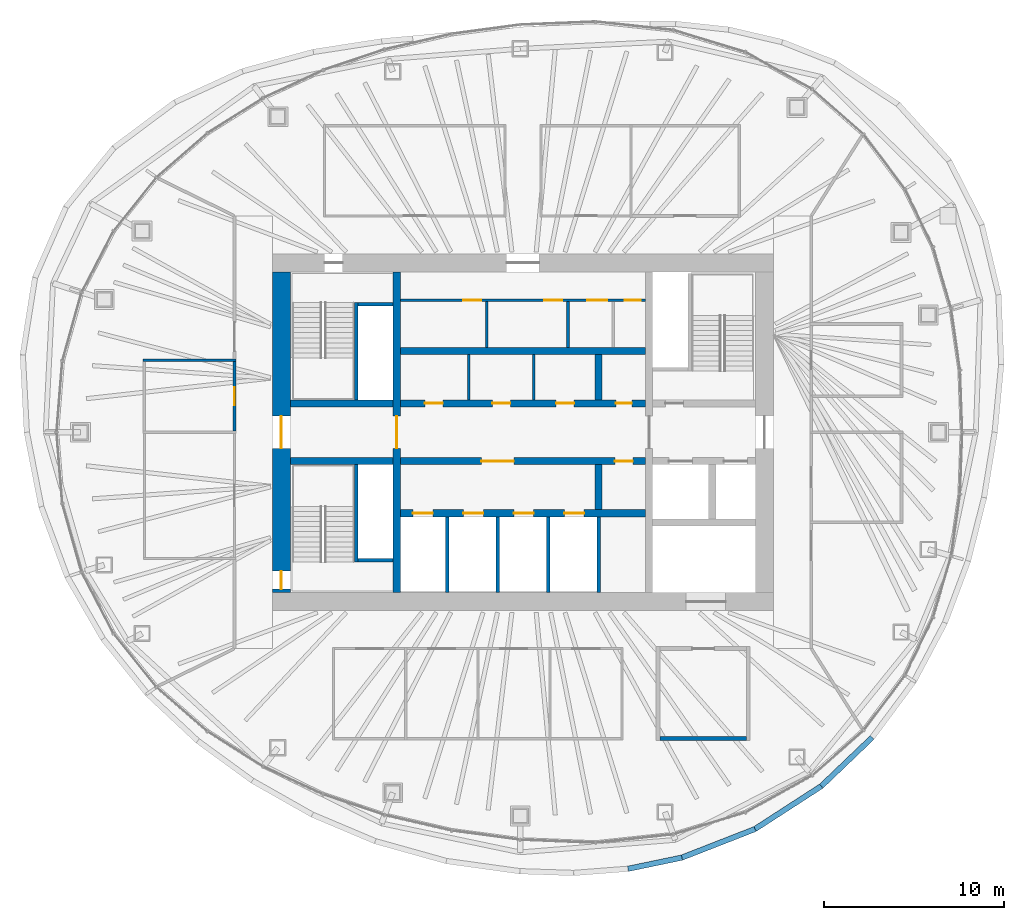
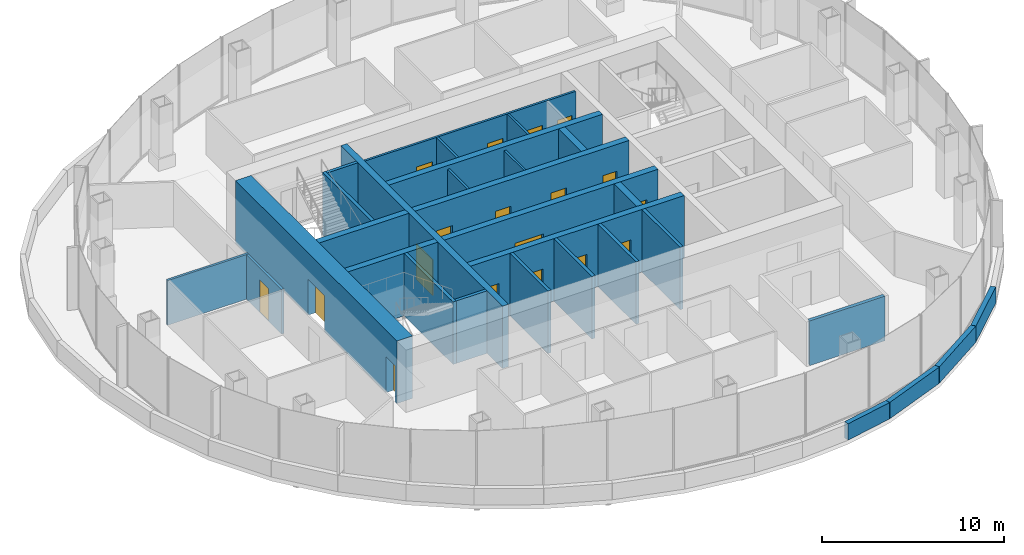
# One storey, part 10 of 13: 30 walls, 18 doors, 18 openings.
"""IFC4 building model written with IfcOpenShell, lengths in metres."""

from ifc_helpers import new_model, si_unit, direction, frame, frame_2d, origin, place, context, subcontext, project, spatial, rectangle, extrude, material, layer, layer_set, type_object, element, fill, save


model = new_model("IFC4")

# Units and contexts
model_context = context("Model", 3, precision=1e-05, world=origin(), true_north=direction((0.0, 1.0)))
body_context = subcontext(model_context, "Body", "Model", "MODEL_VIEW")
ifc_project = project(units=[si_unit("LENGTHUNIT", "METRE"), si_unit("AREAUNIT", "SQUARE_METRE"), si_unit("VOLUMEUNIT", "CUBIC_METRE"), si_unit("PLANEANGLEUNIT", "RADIAN"), si_unit("MASSUNIT", "GRAM", prefix="KILO")], contexts=[model_context])

# Site, building, storey
site_placement = place(None, origin())
site = spatial("IfcSite", under=ifc_project, at=site_placement, CompositionType="ELEMENT")
building_placement = place(site_placement, origin())
building = spatial("IfcBuilding", under=site, at=building_placement, Name="Ghaith Harvest Tower", CompositionType="ELEMENT")
storey_placement = place(building_placement, frame((0.0, 0.0, 271.199951171875)))
storey = spatial("IfcBuildingStorey", under=building, at=storey_placement, Name="L60", CompositionType="ELEMENT", Elevation=271.199951171875)

# Wall
ifc_material_1 = material(Name="Concrete blockwork, 1-hour", Category="masonry")
ifc_layer_1 = layer(ifc_material_1, 0.215087890625)
ifc_layer_set_1 = layer_set([ifc_layer_1], Name="BLOCKWORK WALL 215")
wall_type_1 = type_object("IfcWallType", Name="BLOCKWORK WALL 215", PredefinedType="PARTITIONING", material=ifc_layer_set_1)
wall_1_placement = place(storey_placement, frame((7.607421875, -17.0, 0.0), z_axis=(0.0, 0.0, 1.0), x_axis=(1.0, 0.0, 0.0)))
element("IfcWall", 1, at=wall_1_placement, inside=storey, type_object=wall_type_1, Name="Partition L60-08", PredefinedType="PARTITIONING", context=body_context, shape_type="SweptSolid", body=[
    extrude(rectangle(XDim=4.78515625, YDim=0.215087890625, at=frame_2d((2.392578125, 0.0))), origin(), (0.0, 0.0, 1.0), 3.0),
])

# Wall, openings, doors
ifc_material_2 = material(Name="Concrete blockwork, fair-faced", Category="masonry")
ifc_layer_2 = layer(ifc_material_2, 0.139892578125)
ifc_layer_set_2 = layer_set([ifc_layer_2], Name="CORE PARTITION 140")
wall_type_2 = type_object("IfcWallType", Name="CORE PARTITION 140", PredefinedType="PARTITIONING", material=ifc_layer_set_2)
wall_2_placement = place(storey_placement, frame((-6.800048828125, 7.330078125, 0.0), z_axis=(0.0, 0.0, 1.0), x_axis=(1.0, 0.0, 0.0)))
wall_2 = element("IfcWall", 2, at=wall_2_placement, inside=storey, type_object=wall_type_2, Name="Core partition L60", PredefinedType="PARTITIONING", context=body_context, shape_type="SweptSolid", body=[
    extrude(rectangle(XDim=13.60009765625, YDim=0.139892578125, at=frame_2d((6.800048828125, 0.0))), origin(), (0.0, 0.0, 1.0), 3.949951171875),
])
opening_1_placement = place(wall_2_placement, frame((3.47998046875, 0.0, 0.0)))
opening_1 = element("IfcOpeningElement", 3, at=opening_1_placement, cuts=wall_2, Name="Opening 60-008", PredefinedType="OPENING", context=body_context, shape_type="SweptSolid", body=[
    extrude(rectangle(XDim=1.0, YDim=2.39990234375, at=frame_2d((0.5, 1.199951171875))), frame((0.0, 0.080078125, 0.0), z_axis=(0.0, -1.0, 0.0), x_axis=(1.0, 0.0, 0.0)), (0.0, 0.0, 1.0), 0.159912109375),
])
opening_2_placement = place(wall_2_placement, frame((7.97998046875, 0.0, 0.0)))
opening_2 = element("IfcOpeningElement", 4, at=opening_2_placement, cuts=wall_2, Name="Opening 60-009", PredefinedType="OPENING", context=body_context, shape_type="SweptSolid", body=[
    extrude(rectangle(XDim=1.0, YDim=2.39990234375, at=frame_2d((0.5, 1.199951171875))), frame((0.0, 0.080078125, 0.0), z_axis=(0.0, -1.0, 0.0), x_axis=(1.0, 0.0, 0.0)), (0.0, 0.0, 1.0), 0.159912109375),
])
opening_3_placement = place(wall_2_placement, frame((10.3798828125, 0.0, 0.0)))
opening_3 = element("IfcOpeningElement", 5, at=opening_3_placement, cuts=wall_2, Name="Opening 60-010", PredefinedType="OPENING", context=body_context, shape_type="SweptSolid", body=[
    extrude(rectangle(XDim=1.10009765625, YDim=2.39990234375, at=frame_2d((0.550048828125, 1.199951171875))), frame((0.0, 0.080078125, 0.0), z_axis=(0.0, -1.0, 0.0), x_axis=(1.0, 0.0, 0.0)), (0.0, 0.0, 1.0), 0.159912109375),
])
opening_4_placement = place(wall_2_placement, frame((12.449951171875, 0.0, 0.0)))
opening_4 = element("IfcOpeningElement", 6, at=opening_4_placement, cuts=wall_2, Name="Opening 60-011", PredefinedType="OPENING", context=body_context, shape_type="SweptSolid", body=[
    extrude(rectangle(XDim=0.89990234375, YDim=2.39990234375, at=frame_2d((0.449951171875, 1.199951171875))), frame((0.0, 0.080078125, 0.0), z_axis=(0.0, -1.0, 0.0), x_axis=(1.0, 0.0, 0.0)), (0.0, 0.0, 1.0), 0.159912109375),
])
ifc_material_3 = material(Name="Steel fire door", Category="steel")
door_type_1 = type_object("IfcDoorType", Name="D3 FD90 1000x2400", OperationType="SINGLE_SWING_LEFT", PredefinedType="DOOR", material=ifc_material_3)
door_1_placement = place(opening_1_placement, origin())
door_1 = element("IfcDoor", 7, at=door_1_placement, inside=storey, type_object=door_type_1, Name="Male WC door", OperationType="SINGLE_SWING_LEFT", OverallHeight=2.39990234375, OverallWidth=1.0, PredefinedType="DOOR", context=body_context, shape_type="SweptSolid", body=[
    extrude(rectangle(XDim=1.0, YDim=2.39990234375, at=frame_2d((0.5, 1.199951171875))), frame((0.0, 0.02490234375, 0.0), z_axis=(0.0, -1.0, 0.0), x_axis=(1.0, 0.0, 0.0)), (0.0, 0.0, 1.0), 0.050048828125),
])
fill(opening_1, door_1)
door_2_placement = place(opening_2_placement, origin())
door_2 = element("IfcDoor", 8, at=door_2_placement, inside=storey, type_object=door_type_1, Name="Female WC door", OperationType="SINGLE_SWING_RIGHT", OverallHeight=2.39990234375, OverallWidth=1.0, PredefinedType="DOOR", context=body_context, shape_type="SweptSolid", body=[
    extrude(rectangle(XDim=1.0, YDim=2.39990234375, at=frame_2d((0.5, 1.199951171875))), frame((0.0, 0.02490234375, 0.0), z_axis=(0.0, -1.0, 0.0), x_axis=(1.0, 0.0, 0.0)), (0.0, 0.0, 1.0), 0.050048828125),
])
fill(opening_2, door_2)
ifc_material_4 = material(Name="Steel fire door", Category="steel")
door_type_2 = type_object("IfcDoorType", Name="D5 FD90 900x2400", OperationType="SINGLE_SWING_LEFT", PredefinedType="DOOR", material=ifc_material_4)
door_3_placement = place(opening_4_placement, origin())
door_3 = element("IfcDoor", 9, at=door_3_placement, inside=storey, type_object=door_type_2, Name="Cleaner's store door", OperationType="SINGLE_SWING_RIGHT", OverallHeight=2.39990234375, OverallWidth=0.89990234375, PredefinedType="DOOR", context=body_context, shape_type="SweptSolid", body=[
    extrude(rectangle(XDim=0.89990234375, YDim=2.39990234375, at=frame_2d((0.449951171875, 1.199951171875))), frame((0.0, 0.02490234375, 0.0), z_axis=(0.0, -1.0, 0.0), x_axis=(1.0, 0.0, 0.0)), (0.0, 0.0, 1.0), 0.050048828125),
])
fill(opening_4, door_3)
ifc_material_5 = material(Name="Steel fire door", Category="steel")
door_type_3 = type_object("IfcDoorType", Name="D9 FD90 1100x2400", OperationType="SINGLE_SWING_LEFT", PredefinedType="DOOR", material=ifc_material_5)
door_4_placement = place(opening_3_placement, origin())
door_4 = element("IfcDoor", 10, at=door_4_placement, inside=storey, type_object=door_type_3, Name="Accessible WC door", OperationType="SINGLE_SWING_RIGHT", OverallHeight=2.39990234375, OverallWidth=1.10009765625, PredefinedType="DOOR", context=body_context, shape_type="SweptSolid", body=[
    extrude(rectangle(XDim=1.10009765625, YDim=2.39990234375, at=frame_2d((0.550048828125, 1.199951171875))), frame((0.0, 0.02490234375, 0.0), z_axis=(0.0, -1.0, 0.0), x_axis=(1.0, 0.0, 0.0)), (0.0, 0.0, 1.0), 0.050048828125),
])
fill(opening_3, door_4)

# Walls
for number, where, z_axis, x_axis, name in (
    (11, (-2.0, 4.699951171875, 0.0), (0.0, 0.0, 1.0), (0.0, 1.0, 0.0), "Core partition L60"),
    (12, (2.5, 4.699951171875, 0.0), (0.0, 0.0, 1.0), (0.0, 1.0, 0.0), "Core partition L60"),
):
    element("IfcWall", number, at=place(storey_placement, frame(where, z_axis=z_axis, x_axis=x_axis)), inside=storey, type_object=wall_type_2, Name=name, PredefinedType="PARTITIONING", context=body_context, shape_type="SweptSolid", body=[
        extrude(rectangle(XDim=2.56005859375, YDim=0.139892578125, at=frame_2d((1.280029296875, 0.0))), origin(), (0.0, 0.0, 1.0), 3.949951171875),
    ])
for number, where, z_axis, x_axis, name in (
    (13, (-3.0, 1.800048828125, 0.0), (0.0, 0.0, 1.0), (0.0, 1.0, 0.0), "Core partition L60"),
    (14, (0.60009765625, 1.800048828125, 0.0), (0.0, 0.0, 1.0), (0.0, 1.0, 0.0), "Core partition L60"),
):
    element("IfcWall", number, at=place(storey_placement, frame(where, z_axis=z_axis, x_axis=x_axis)), inside=storey, type_object=wall_type_2, Name=name, PredefinedType="PARTITIONING", context=body_context, shape_type="SweptSolid", body=[
        extrude(rectangle(XDim=2.5, YDim=0.139892578125, at=frame_2d((1.25, 0.0))), origin(), (0.0, 0.0, 1.0), 3.949951171875),
    ])

# Wall, openings, doors
ifc_material_6 = material(Name="Concrete C50/60", Category="concrete")
ifc_layer_3 = layer(ifc_material_6, 1.0)
ifc_layer_set_3 = layer_set([ifc_layer_3], Name="CORE WALL CW1000")
wall_type_3 = type_object("IfcWallType", Name="CORE WALL CW1000", PredefinedType="SHEAR", material=ifc_layer_set_3)
wall_3_placement = place(storey_placement, frame((-13.39990234375, 8.89990234375, 0.0), z_axis=(0.0, 0.0, 1.0), x_axis=(0.0, -1.0, 0.0)))
wall_3 = element("IfcWall", 15, at=wall_3_placement, inside=storey, type_object=wall_type_3, Name="Core wall W L60", PredefinedType="SHEAR", context=body_context, shape_type="SweptSolid", body=[
    extrude(rectangle(XDim=17.7998046875, YDim=1.0, at=frame_2d((8.89990234375, 0.0))), origin(), (0.0, 0.0, 1.0), 4.199951171875),
])
opening_5_placement = place(wall_3_placement, frame((8.0, 0.0, 0.0)))
opening_5 = element("IfcOpeningElement", 16, at=opening_5_placement, cuts=wall_3, Name="Opening 60-001", PredefinedType="OPENING", context=body_context, shape_type="SweptSolid", body=[
    extrude(rectangle(XDim=1.800048828125, YDim=2.39990234375, at=frame_2d((0.89990234375, 1.199951171875))), frame((0.0, 0.510009765625, 0.0), z_axis=(0.0, -1.0, 0.0), x_axis=(1.0, 0.0, 0.0)), (0.0, 0.0, 1.0), 1.02001953125),
])
opening_6_placement = place(wall_3_placement, frame((16.60009765625, 0.0, 0.0)))
opening_6 = element("IfcOpeningElement", 17, at=opening_6_placement, cuts=wall_3, Name="Opening 60-006", PredefinedType="OPENING", context=body_context, shape_type="SweptSolid", body=[
    extrude(rectangle(XDim=1.0, YDim=2.39990234375, at=frame_2d((0.5, 1.199951171875))), frame((0.0, 0.510009765625, 0.0), z_axis=(0.0, -1.0, 0.0), x_axis=(1.0, 0.0, 0.0)), (0.0, 0.0, 1.0), 1.02001953125),
])
door_5_placement = place(opening_6_placement, origin())
door_5 = element("IfcDoor", 18, at=door_5_placement, inside=storey, type_object=door_type_1, Name="Stair ST3 door", OperationType="SINGLE_SWING_RIGHT", OverallHeight=2.39990234375, OverallWidth=1.0, PredefinedType="DOOR", context=body_context, shape_type="SweptSolid", body=[
    extrude(rectangle(XDim=1.0, YDim=2.39990234375, at=frame_2d((0.5, 1.199951171875))), frame((0.0, 0.02490234375, 0.0), z_axis=(0.0, -1.0, 0.0), x_axis=(1.0, 0.0, 0.0)), (0.0, 0.0, 1.0), 0.050048828125),
])
fill(opening_6, door_5)
ifc_material_7 = material(Name="Steel fire door", Category="steel")
door_type_4 = type_object("IfcDoorType", Name="D4 FD90 PAIR 1800x2400", OperationType="DOUBLE_DOOR_SINGLE_SWING", PredefinedType="DOOR", material=ifc_material_7)
door_6_placement = place(opening_5_placement, origin())
door_6 = element("IfcDoor", 19, at=door_6_placement, inside=storey, type_object=door_type_4, Name="West lobby doors", OperationType="DOUBLE_DOOR_SINGLE_SWING", OverallHeight=2.39990234375, OverallWidth=1.800048828125, PredefinedType="DOOR", context=body_context, shape_type="SweptSolid", body=[
    extrude(rectangle(XDim=1.800048828125, YDim=2.39990234375, at=frame_2d((0.89990234375, 1.199951171875))), frame((0.0, 0.02490234375, 0.0), z_axis=(0.0, -1.0, 0.0), x_axis=(1.0, 0.0, 0.0)), (0.0, 0.0, 1.0), 0.050048828125),
])
fill(opening_5, door_6)

# Walls
ifc_material_8 = material(Name="Concrete blockwork, 2-hour", Category="masonry")
ifc_layer_4 = layer(ifc_material_8, 0.199951171875)
ifc_layer_set_4 = layer_set([ifc_layer_4], Name="LIFT SHAFT WALL 200")
wall_type_4 = type_object("IfcWallType", Name="LIFT SHAFT WALL 200", PredefinedType="PARTITIONING", material=ifc_layer_set_4)
for number, where, z_axis, x_axis, name in (
    (20, (-4.199951171875, -4.699951171875, 0.0), (0.0, 0.0, 1.0), (0.0, -1.0, 0.0), "Lift shaft wall L60"),
    (21, (-1.39990234375, -4.699951171875, 0.0), (0.0, 0.0, 1.0), (0.0, -1.0, 0.0), "Lift shaft wall L60"),
    (22, (1.39990234375, -4.699951171875, 0.0), (0.0, 0.0, 1.0), (0.0, -1.0, 0.0), "Lift shaft wall L60"),
    (23, (4.199951171875, -4.699951171875, 0.0), (0.0, 0.0, 1.0), (0.0, -1.0, 0.0), "Lift shaft wall L60"),
):
    element("IfcWall", number, at=place(storey_placement, frame(where, z_axis=z_axis, x_axis=x_axis)), inside=storey, type_object=wall_type_4, Name=name, PredefinedType="PARTITIONING", context=body_context, shape_type="SweptSolid", body=[
        extrude(rectangle(XDim=4.199951171875, YDim=0.199951171875, at=frame_2d((2.10009765625, 0.0))), origin(), (0.0, 0.0, 1.0), 4.199951171875),
    ])
ifc_material_9 = material(Name="Concrete C40/50", Category="concrete")
ifc_layer_5 = layer(ifc_material_9, 0.300048828125)
ifc_layer_set_5 = layer_set([ifc_layer_5], Name="PARAPET 300")
wall_type_5 = type_object("IfcWallType", Name="PARAPET 300", PredefinedType="PARAPET", material=ifc_layer_set_5)
wall_4_placement = place(storey_placement, frame((5.830078125, -24.220458984375, 0.0), z_axis=(0.0, 0.0, 1.0), x_axis=(0.97897576659, 0.203976587946, 0.0)))
element("IfcWall", 24, at=wall_4_placement, inside=storey, type_object=wall_type_5, Name="Parapet 16.3 L60", PredefinedType="PARAPET", context=body_context, shape_type="SweptSolid", body=[
    extrude(rectangle(XDim=3.0556640625, YDim=0.300048828125, at=frame_2d((1.52783203125, 0.0))), origin(), (0.0, 0.0, 1.0), 1.10009765625),
])
wall_5_placement = place(storey_placement, frame((8.821533203125, -23.59716796875, 0.0), z_axis=(0.0, 0.0, 1.0), x_axis=(0.931449622767, 0.363870306906, 0.0)))
element("IfcWall", 25, at=wall_5_placement, inside=storey, type_object=wall_type_5, Name="Parapet 17.1 L60", PredefinedType="PARAPET", context=body_context, shape_type="SweptSolid", body=[
    extrude(rectangle(XDim=4.3505859375, YDim=0.300048828125, at=frame_2d((2.17529296875, 0.0))), origin(), (0.0, 0.0, 1.0), 1.10009765625),
])
wall_6_placement = place(storey_placement, frame((12.873779296875, -22.01416015625, 0.0), z_axis=(0.0, 0.0, 1.0), x_axis=(0.839528327494, 0.543315918536, 0.0)))
element("IfcWall", 26, at=wall_6_placement, inside=storey, type_object=wall_type_5, Name="Parapet 17.2 L60", PredefinedType="PARAPET", context=body_context, shape_type="SweptSolid", body=[
    extrude(rectangle(XDim=4.384765625, YDim=0.300048828125, at=frame_2d((2.1923828125, 0.0))), origin(), (0.0, 0.0, 1.0), 1.10009765625),
])
wall_7_placement = place(storey_placement, frame((16.554931640625, -19.6318359375, 0.0), z_axis=(0.0, 0.0, 1.0), x_axis=(0.722625530555, 0.691239714274, 0.0)))
element("IfcWall", 27, at=wall_7_placement, inside=storey, type_object=wall_type_5, Name="Parapet 18.1 L60", PredefinedType="PARAPET", context=body_context, shape_type="SweptSolid", body=[
    extrude(rectangle(XDim=3.897216796875, YDim=0.300048828125, at=frame_2d((1.94873046875, 0.0))), origin(), (0.0, 0.0, 1.0), 1.10009765625),
])
ifc_material_10 = material(Name="Gypsum board on steel studs", Category="steel")
ifc_layer_6 = layer(ifc_material_10, 0.14990234375)
ifc_layer_set_6 = layer_set([ifc_layer_6], Name="PARTITION 150")
wall_type_6 = type_object("IfcWallType", Name="PARTITION 150", PredefinedType="PARTITIONING", material=ifc_layer_set_6)
wall_8_placement = place(storey_placement, frame((-15.925048828125, 4.0, 0.0), z_axis=(0.0, 0.0, 1.0), x_axis=(-1.0, 0.0, 0.0)))
element("IfcWall", 28, at=wall_8_placement, inside=storey, type_object=wall_type_6, Name="Partition L60 row W5 cross wall 3", PredefinedType="PARTITIONING", context=body_context, shape_type="SweptSolid", body=[
    extrude(rectangle(XDim=5.14990234375, YDim=0.14990234375, at=frame_2d((2.574951171875, 0.0))), origin(), (0.0, 0.0, 1.0), 3.0),
])

# Wall, opening, door
wall_9_placement = place(storey_placement, frame((-16.0, 0.06005859375, 0.0), z_axis=(0.0, 0.0, 1.0), x_axis=(0.0, 1.0, 0.0)))
wall_9 = element("IfcWall", 29, at=wall_9_placement, inside=storey, type_object=wall_type_6, Name="Partition L60-10", PredefinedType="PARTITIONING", context=body_context, shape_type="SweptSolid", body=[
    extrude(rectangle(XDim=3.864990234375, YDim=0.14990234375, at=frame_2d((1.9326171875, 0.0))), origin(), (0.0, 0.0, 1.0), 3.0),
])
opening_7_placement = place(wall_9_placement, frame((1.4326171875, 0.0, 0.0)))
opening_7 = element("IfcOpeningElement", 30, at=opening_7_placement, cuts=wall_9, Name="Opening 60-035", PredefinedType="OPENING", context=body_context, shape_type="SweptSolid", body=[
    extrude(rectangle(XDim=1.0, YDim=2.199951171875, at=frame_2d((0.5, 1.10009765625))), frame((0.0, 0.0849609375, 0.0), z_axis=(0.0, -1.0, 0.0), x_axis=(1.0, 0.0, 0.0)), (0.0, 0.0, 1.0), 0.169921875),
])
ifc_material_11 = material(Name="Timber door", Category="wood")
door_type_5 = type_object("IfcDoorType", Name="D1 SINGLE 1000x2200", OperationType="SINGLE_SWING_LEFT", PredefinedType="DOOR", material=ifc_material_11)
door_7_placement = place(opening_7_placement, origin())
door_7 = element("IfcDoor", 31, at=door_7_placement, inside=storey, type_object=door_type_5, Name="Store door", OperationType="SINGLE_SWING_LEFT", OverallHeight=2.199951171875, OverallWidth=1.0, PredefinedType="DOOR", context=body_context, shape_type="SweptSolid", body=[
    extrude(rectangle(XDim=1.0, YDim=2.199951171875, at=frame_2d((0.5, 1.10009765625))), frame((0.0, 0.02490234375, 0.0), z_axis=(0.0, -1.0, 0.0), x_axis=(1.0, 0.0, 0.0)), (0.0, 0.0, 1.0), 0.050048828125),
])
fill(opening_7, door_7)

ifc_material_12 = material(Name="Concrete C70/85", Category="concrete")
ifc_layer_7 = layer(ifc_material_12, 0.39990234375)
ifc_layer_set_7 = layer_set([ifc_layer_7], Name="SHAFT WALL 400")
wall_type_7 = type_object("IfcWallType", Name="SHAFT WALL 400", PredefinedType="SHEAR", material=ifc_layer_set_7)
wall_10_placement = place(storey_placement, frame((-7.0, -8.89990234375, 0.0), z_axis=(0.0, 0.0, 1.0), x_axis=(0.0, 1.0, 0.0)))
wall_10 = element("IfcWall", 32, at=wall_10_placement, inside=storey, type_object=wall_type_7, Name="Shaft wall W7W L60", PredefinedType="SHEAR", context=body_context, shape_type="SweptSolid", body=[
    extrude(rectangle(XDim=17.7998046875, YDim=0.39990234375, at=frame_2d((8.89990234375, 0.0))), origin(), (0.0, 0.0, 1.0), 4.199951171875),
])
opening_8_placement = place(wall_10_placement, frame((8.0, 0.0, 0.0)))
opening_8 = element("IfcOpeningElement", 33, at=opening_8_placement, cuts=wall_10, Name="Opening 60-003", PredefinedType="OPENING", context=body_context, shape_type="SweptSolid", body=[
    extrude(rectangle(XDim=1.800048828125, YDim=2.39990234375, at=frame_2d((0.89990234375, 1.199951171875))), frame((0.0, 0.2099609375, 0.0), z_axis=(0.0, -1.0, 0.0), x_axis=(1.0, 0.0, 0.0)), (0.0, 0.0, 1.0), 0.419921875),
])
door_8_placement = place(opening_8_placement, origin())
door_8 = element("IfcDoor", 34, at=door_8_placement, inside=storey, type_object=door_type_4, Name="Lift lobby doors, west", OperationType="DOUBLE_DOOR_SINGLE_SWING", OverallHeight=2.39990234375, OverallWidth=1.800048828125, PredefinedType="DOOR", context=body_context, shape_type="SweptSolid", body=[
    extrude(rectangle(XDim=1.800048828125, YDim=2.39990234375, at=frame_2d((0.89990234375, 1.199951171875))), frame((0.0, 0.02490234375, 0.0), z_axis=(0.0, -1.0, 0.0), x_axis=(1.0, 0.0, 0.0)), (0.0, 0.0, 1.0), 0.050048828125),
])
fill(opening_8, door_8)

# Wall, openings, doors
wall_11_placement = place(storey_placement, frame((-6.800048828125, 1.60009765625, 0.0), z_axis=(0.0, 0.0, 1.0), x_axis=(1.0, 0.0, 0.0)))
wall_11 = element("IfcWall", 35, at=wall_11_placement, inside=storey, type_object=wall_type_7, Name="Shaft wall LN L60", PredefinedType="SHEAR", context=body_context, shape_type="SweptSolid", body=[
    extrude(rectangle(XDim=13.60009765625, YDim=0.39990234375, at=frame_2d((6.800048828125, 0.0))), origin(), (0.0, 0.0, 1.0), 4.199951171875),
])
opening_9_placement = place(wall_11_placement, frame((1.364990234375, 0.0, 0.0)))
opening_9 = element("IfcOpeningElement", 36, at=opening_9_placement, cuts=wall_11, Name="Opening 60-012", PredefinedType="OPENING", context=body_context, shape_type="SweptSolid", body=[
    extrude(rectangle(XDim=1.0, YDim=2.39990234375, at=frame_2d((0.5, 1.199951171875))), frame((0.0, 0.2099609375, 0.0), z_axis=(0.0, -1.0, 0.0), x_axis=(1.0, 0.0, 0.0)), (0.0, 0.0, 1.0), 0.419921875),
])
opening_10_placement = place(wall_11_placement, frame((5.10009765625, 0.0, 0.0)))
opening_10 = element("IfcOpeningElement", 37, at=opening_10_placement, cuts=wall_11, Name="Opening 60-013", PredefinedType="OPENING", context=body_context, shape_type="SweptSolid", body=[
    extrude(rectangle(XDim=1.0, YDim=2.39990234375, at=frame_2d((0.5, 1.199951171875))), frame((0.0, 0.2099609375, 0.0), z_axis=(0.0, -1.0, 0.0), x_axis=(1.0, 0.0, 0.0)), (0.0, 0.0, 1.0), 0.419921875),
])
opening_11_placement = place(wall_11_placement, frame((8.635009765625, 0.0, 0.0)))
opening_11 = element("IfcOpeningElement", 38, at=opening_11_placement, cuts=wall_11, Name="Opening 60-014", PredefinedType="OPENING", context=body_context, shape_type="SweptSolid", body=[
    extrude(rectangle(XDim=1.0, YDim=2.39990234375, at=frame_2d((0.5, 1.199951171875))), frame((0.0, 0.2099609375, 0.0), z_axis=(0.0, -1.0, 0.0), x_axis=(1.0, 0.0, 0.0)), (0.0, 0.0, 1.0), 0.419921875),
])
opening_12_placement = place(wall_11_placement, frame((11.949951171875, 0.0, 0.0)))
opening_12 = element("IfcOpeningElement", 39, at=opening_12_placement, cuts=wall_11, Name="Opening 60-015", PredefinedType="OPENING", context=body_context, shape_type="SweptSolid", body=[
    extrude(rectangle(XDim=0.89990234375, YDim=2.39990234375, at=frame_2d((0.449951171875, 1.199951171875))), frame((0.0, 0.2099609375, 0.0), z_axis=(0.0, -1.0, 0.0), x_axis=(1.0, 0.0, 0.0)), (0.0, 0.0, 1.0), 0.419921875),
])
door_9_placement = place(opening_9_placement, origin())
door_9 = element("IfcDoor", 40, at=door_9_placement, inside=storey, type_object=door_type_1, Name="Electrical room door", OperationType="SINGLE_SWING_LEFT", OverallHeight=2.39990234375, OverallWidth=1.0, PredefinedType="DOOR", context=body_context, shape_type="SweptSolid", body=[
    extrude(rectangle(XDim=1.0, YDim=2.39990234375, at=frame_2d((0.5, 1.199951171875))), frame((0.0, 0.02490234375, 0.0), z_axis=(0.0, -1.0, 0.0), x_axis=(1.0, 0.0, 0.0)), (0.0, 0.0, 1.0), 0.050048828125),
])
fill(opening_9, door_9)
door_10_placement = place(opening_10_placement, origin())
door_10 = element("IfcDoor", 41, at=door_10_placement, inside=storey, type_object=door_type_1, Name="Communications equipment room door", OperationType="SINGLE_SWING_LEFT", OverallHeight=2.39990234375, OverallWidth=1.0, PredefinedType="DOOR", context=body_context, shape_type="SweptSolid", body=[
    extrude(rectangle(XDim=1.0, YDim=2.39990234375, at=frame_2d((0.5, 1.199951171875))), frame((0.0, 0.02490234375, 0.0), z_axis=(0.0, -1.0, 0.0), x_axis=(1.0, 0.0, 0.0)), (0.0, 0.0, 1.0), 0.050048828125),
])
fill(opening_10, door_10)
door_11_placement = place(opening_11_placement, origin())
door_11 = element("IfcDoor", 42, at=door_11_placement, inside=storey, type_object=door_type_1, Name="Tea point door", OperationType="SINGLE_SWING_RIGHT", OverallHeight=2.39990234375, OverallWidth=1.0, PredefinedType="DOOR", context=body_context, shape_type="SweptSolid", body=[
    extrude(rectangle(XDim=1.0, YDim=2.39990234375, at=frame_2d((0.5, 1.199951171875))), frame((0.0, 0.02490234375, 0.0), z_axis=(0.0, -1.0, 0.0), x_axis=(1.0, 0.0, 0.0)), (0.0, 0.0, 1.0), 0.050048828125),
])
fill(opening_11, door_11)
door_12_placement = place(opening_12_placement, origin())
door_12 = element("IfcDoor", 43, at=door_12_placement, inside=storey, type_object=door_type_2, Name="Lobby store door", OperationType="SINGLE_SWING_RIGHT", OverallHeight=2.39990234375, OverallWidth=0.89990234375, PredefinedType="DOOR", context=body_context, shape_type="SweptSolid", body=[
    extrude(rectangle(XDim=0.89990234375, YDim=2.39990234375, at=frame_2d((0.449951171875, 1.199951171875))), frame((0.0, 0.02490234375, 0.0), z_axis=(0.0, -1.0, 0.0), x_axis=(1.0, 0.0, 0.0)), (0.0, 0.0, 1.0), 0.050048828125),
])
fill(opening_12, door_12)

wall_12_placement = place(storey_placement, frame((-6.800048828125, -1.60009765625, 0.0), z_axis=(0.0, 0.0, 1.0), x_axis=(1.0, 0.0, 0.0)))
wall_12 = element("IfcWall", 44, at=wall_12_placement, inside=storey, type_object=wall_type_7, Name="Shaft wall LS L60", PredefinedType="SHEAR", context=body_context, shape_type="SweptSolid", body=[
    extrude(rectangle(XDim=13.60009765625, YDim=0.39990234375, at=frame_2d((6.800048828125, 0.0))), origin(), (0.0, 0.0, 1.0), 4.199951171875),
])
opening_13_placement = place(wall_12_placement, frame((11.89990234375, 0.0, 0.0)))
opening_13 = element("IfcOpeningElement", 45, at=opening_13_placement, cuts=wall_12, Name="Opening 60-016", PredefinedType="OPENING", context=body_context, shape_type="SweptSolid", body=[
    extrude(rectangle(XDim=1.0, YDim=2.39990234375, at=frame_2d((0.5, 1.199951171875))), frame((0.0, 0.2099609375, 0.0), z_axis=(0.0, -1.0, 0.0), x_axis=(1.0, 0.0, 0.0)), (0.0, 0.0, 1.0), 0.419921875),
])
opening_14_placement = place(wall_12_placement, frame((4.5, 0.0, 0.0)))
opening_14 = element("IfcOpeningElement", 46, at=opening_14_placement, cuts=wall_12, Name="Opening 60-017", PredefinedType="OPENING", context=body_context, shape_type="SweptSolid", body=[
    extrude(rectangle(XDim=1.800048828125, YDim=2.39990234375, at=frame_2d((0.89990234375, 1.199951171875))), frame((0.0, 0.2099609375, 0.0), z_axis=(0.0, -1.0, 0.0), x_axis=(1.0, 0.0, 0.0)), (0.0, 0.0, 1.0), 0.419921875),
])
door_13_placement = place(opening_13_placement, origin())
door_13 = element("IfcDoor", 47, at=door_13_placement, inside=storey, type_object=door_type_1, Name="IT equipment room door", OperationType="SINGLE_SWING_RIGHT", OverallHeight=2.39990234375, OverallWidth=1.0, PredefinedType="DOOR", context=body_context, shape_type="SweptSolid", body=[
    extrude(rectangle(XDim=1.0, YDim=2.39990234375, at=frame_2d((0.5, 1.199951171875))), frame((0.0, 0.02490234375, 0.0), z_axis=(0.0, -1.0, 0.0), x_axis=(1.0, 0.0, 0.0)), (0.0, 0.0, 1.0), 0.050048828125),
])
fill(opening_13, door_13)
door_14_placement = place(opening_14_placement, origin())
door_14 = element("IfcDoor", 48, at=door_14_placement, inside=storey, type_object=door_type_4, Name="Lift lobby doors, upper-zone bank", OperationType="DOUBLE_DOOR_SINGLE_SWING", OverallHeight=2.39990234375, OverallWidth=1.800048828125, PredefinedType="DOOR", context=body_context, shape_type="SweptSolid", body=[
    extrude(rectangle(XDim=1.800048828125, YDim=2.39990234375, at=frame_2d((0.89990234375, 1.199951171875))), frame((0.0, 0.02490234375, 0.0), z_axis=(0.0, -1.0, 0.0), x_axis=(1.0, 0.0, 0.0)), (0.0, 0.0, 1.0), 0.050048828125),
])
fill(opening_14, door_14)

# Wall
wall_13_placement = place(storey_placement, frame((-6.800048828125, 4.5, 0.0), z_axis=(0.0, 0.0, 1.0), x_axis=(1.0, 0.0, 0.0)))
element("IfcWall", 49, at=wall_13_placement, inside=storey, type_object=wall_type_7, Name="Shaft wall BN L60", PredefinedType="SHEAR", context=body_context, shape_type="SweptSolid", body=[
    extrude(rectangle(XDim=13.60009765625, YDim=0.39990234375, at=frame_2d((6.800048828125, 0.0))), origin(), (0.0, 0.0, 1.0), 4.199951171875),
])

# Wall, openings, doors
wall_14_placement = place(storey_placement, frame((-6.800048828125, -4.5, 0.0), z_axis=(0.0, 0.0, 1.0), x_axis=(1.0, 0.0, 0.0)))
wall_14 = element("IfcWall", 50, at=wall_14_placement, inside=storey, type_object=wall_type_7, Name="Shaft wall BS L60", PredefinedType="SHEAR", context=body_context, shape_type="SweptSolid", body=[
    extrude(rectangle(XDim=13.60009765625, YDim=0.39990234375, at=frame_2d((6.800048828125, 0.0))), origin(), (0.0, 0.0, 1.0), 4.199951171875),
])
opening_15_placement = place(wall_14_placement, frame((0.699951171875, 0.0, 0.0)))
opening_15 = element("IfcOpeningElement", 51, at=opening_15_placement, cuts=wall_14, Name="Opening 60-019", PredefinedType="OPENING", context=body_context, shape_type="SweptSolid", body=[
    extrude(rectangle(XDim=1.10009765625, YDim=2.39990234375, at=frame_2d((0.550048828125, 1.199951171875))), frame((0.0, 0.2099609375, 0.0), z_axis=(0.0, -1.0, 0.0), x_axis=(1.0, 0.0, 0.0)), (0.0, 0.0, 1.0), 0.419921875),
])
opening_16_placement = place(wall_14_placement, frame((3.5, 0.0, 0.0)))
opening_16 = element("IfcOpeningElement", 52, at=opening_16_placement, cuts=wall_14, Name="Opening 60-020", PredefinedType="OPENING", context=body_context, shape_type="SweptSolid", body=[
    extrude(rectangle(XDim=1.10009765625, YDim=2.39990234375, at=frame_2d((0.550048828125, 1.199951171875))), frame((0.0, 0.2099609375, 0.0), z_axis=(0.0, -1.0, 0.0), x_axis=(1.0, 0.0, 0.0)), (0.0, 0.0, 1.0), 0.419921875),
])
opening_17_placement = place(wall_14_placement, frame((6.300048828125, 0.0, 0.0)))
opening_17 = element("IfcOpeningElement", 53, at=opening_17_placement, cuts=wall_14, Name="Opening 60-021", PredefinedType="OPENING", context=body_context, shape_type="SweptSolid", body=[
    extrude(rectangle(XDim=1.10009765625, YDim=2.39990234375, at=frame_2d((0.550048828125, 1.199951171875))), frame((0.0, 0.2099609375, 0.0), z_axis=(0.0, -1.0, 0.0), x_axis=(1.0, 0.0, 0.0)), (0.0, 0.0, 1.0), 0.419921875),
])
opening_18_placement = place(wall_14_placement, frame((9.10009765625, 0.0, 0.0)))
opening_18 = element("IfcOpeningElement", 54, at=opening_18_placement, cuts=wall_14, Name="Opening 60-022", PredefinedType="OPENING", context=body_context, shape_type="SweptSolid", body=[
    extrude(rectangle(XDim=1.10009765625, YDim=2.39990234375, at=frame_2d((0.550048828125, 1.199951171875))), frame((0.0, 0.2099609375, 0.0), z_axis=(0.0, -1.0, 0.0), x_axis=(1.0, 0.0, 0.0)), (0.0, 0.0, 1.0), 0.419921875),
])
ifc_material_13 = material(Name="Steel fire door", Category="steel")
door_type_6 = type_object("IfcDoorType", Name="LD1 LANDING 1100x2400", OperationType="DOUBLE_DOOR_SLIDING", PredefinedType="DOOR", material=ifc_material_13)
door_15_placement = place(opening_15_placement, origin())
door_15 = element("IfcDoor", 55, at=door_15_placement, inside=storey, type_object=door_type_6, Name="Landing door, lift TR1", OperationType="DOUBLE_DOOR_SLIDING", OverallHeight=2.39990234375, OverallWidth=1.10009765625, PredefinedType="DOOR", context=body_context, shape_type="SweptSolid", body=[
    extrude(rectangle(XDim=1.10009765625, YDim=2.39990234375, at=frame_2d((0.550048828125, 1.199951171875))), frame((0.0, 0.02490234375, 0.0), z_axis=(0.0, -1.0, 0.0), x_axis=(1.0, 0.0, 0.0)), (0.0, 0.0, 1.0), 0.050048828125),
])
fill(opening_15, door_15)
door_16_placement = place(opening_16_placement, origin())
door_16 = element("IfcDoor", 56, at=door_16_placement, inside=storey, type_object=door_type_6, Name="Landing door, lift TR2", OperationType="DOUBLE_DOOR_SLIDING", OverallHeight=2.39990234375, OverallWidth=1.10009765625, PredefinedType="DOOR", context=body_context, shape_type="SweptSolid", body=[
    extrude(rectangle(XDim=1.10009765625, YDim=2.39990234375, at=frame_2d((0.550048828125, 1.199951171875))), frame((0.0, 0.02490234375, 0.0), z_axis=(0.0, -1.0, 0.0), x_axis=(1.0, 0.0, 0.0)), (0.0, 0.0, 1.0), 0.050048828125),
])
fill(opening_16, door_16)
door_17_placement = place(opening_17_placement, origin())
door_17 = element("IfcDoor", 57, at=door_17_placement, inside=storey, type_object=door_type_6, Name="Landing door, lift TR3", OperationType="DOUBLE_DOOR_SLIDING", OverallHeight=2.39990234375, OverallWidth=1.10009765625, PredefinedType="DOOR", context=body_context, shape_type="SweptSolid", body=[
    extrude(rectangle(XDim=1.10009765625, YDim=2.39990234375, at=frame_2d((0.550048828125, 1.199951171875))), frame((0.0, 0.02490234375, 0.0), z_axis=(0.0, -1.0, 0.0), x_axis=(1.0, 0.0, 0.0)), (0.0, 0.0, 1.0), 0.050048828125),
])
fill(opening_17, door_17)
door_18_placement = place(opening_18_placement, origin())
door_18 = element("IfcDoor", 58, at=door_18_placement, inside=storey, type_object=door_type_6, Name="Landing door, lift TR4", OperationType="DOUBLE_DOOR_SLIDING", OverallHeight=2.39990234375, OverallWidth=1.10009765625, PredefinedType="DOOR", context=body_context, shape_type="SweptSolid", body=[
    extrude(rectangle(XDim=1.10009765625, YDim=2.39990234375, at=frame_2d((0.550048828125, 1.199951171875))), frame((0.0, 0.02490234375, 0.0), z_axis=(0.0, -1.0, 0.0), x_axis=(1.0, 0.0, 0.0)), (0.0, 0.0, 1.0), 0.050048828125),
])
fill(opening_18, door_18)

# Walls
for number, where, z_axis, x_axis, name in (
    (59, (-12.89990234375, 1.60009765625, 0.0), (0.0, 0.0, 1.0), (1.0, 0.0, 0.0), "Shaft wall WN L60"),
    (60, (-12.89990234375, -1.60009765625, 0.0), (0.0, 0.0, 1.0), (1.0, 0.0, 0.0), "Shaft wall WS L60"),
):
    element("IfcWall", number, at=place(storey_placement, frame(where, z_axis=z_axis, x_axis=x_axis)), inside=storey, type_object=wall_type_7, Name=name, PredefinedType="SHEAR", context=body_context, shape_type="SweptSolid", body=[
        extrude(rectangle(XDim=5.699951171875, YDim=0.39990234375, at=frame_2d((2.85009765625, 0.0))), origin(), (0.0, 0.0, 1.0), 4.199951171875),
    ])
for number, where, z_axis, x_axis, name in (
    (61, (4.199951171875, 1.800048828125, 0.0), (0.0, 0.0, 1.0), (0.0, 1.0, 0.0), "Shaft wall DN4 L60"),
    (62, (4.199951171875, -4.300048828125, 0.0), (0.0, 0.0, 1.0), (0.0, 1.0, 0.0), "Shaft wall DS4 L60"),
):
    element("IfcWall", number, at=place(storey_placement, frame(where, z_axis=z_axis, x_axis=x_axis)), inside=storey, type_object=wall_type_7, Name=name, PredefinedType="SHEAR", context=body_context, shape_type="SweptSolid", body=[
        extrude(rectangle(XDim=2.5, YDim=0.39990234375, at=frame_2d((1.25, 0.0))), origin(), (0.0, 0.0, 1.0), 4.199951171875),
    ])
ifc_material_14 = material(Name="Concrete C40/50", Category="concrete")
ifc_layer_8 = layer(ifc_material_14, 0.199951171875)
ifc_layer_set_8 = layer_set([ifc_layer_8], Name="STAIR SPINE WALL RC200")
wall_type_8 = type_object("IfcWallType", Name="STAIR SPINE WALL RC200", PredefinedType="SOLIDWALL", material=ifc_layer_set_8)
wall_15_placement = place(storey_placement, frame((-9.25, 7.199951171875, 0.0), z_axis=(0.0, 0.0, 1.0), x_axis=(0.0, -1.0, 0.0)))
element("IfcWall", 63, at=wall_15_placement, inside=storey, type_object=wall_type_8, Name="Stair ST1 spine wall L60", PredefinedType="SOLIDWALL", context=body_context, shape_type="SweptSolid", body=[
    extrude(rectangle(XDim=5.39990234375, YDim=0.199951171875, at=frame_2d((2.699951171875, 0.0))), origin(), (0.0, 0.0, 1.0), 4.199951171875),
])
wall_16_placement = place(storey_placement, frame((-9.14990234375, 7.10009765625, 0.0), z_axis=(0.0, 0.0, 1.0), x_axis=(1.0, 0.0, 0.0)))
element("IfcWall", 64, at=wall_16_placement, inside=storey, type_object=wall_type_8, Name="Stair ST1 spine wall return L60", PredefinedType="SOLIDWALL", context=body_context, shape_type="SweptSolid", body=[
    extrude(rectangle(XDim=1.949951171875, YDim=0.199951171875, at=frame_2d((0.97509765625, 0.0))), origin(), (0.0, 0.0, 1.0), 4.199951171875),
])
wall_17_placement = place(storey_placement, frame((-9.25, -7.199951171875, 0.0), z_axis=(0.0, 0.0, 1.0), x_axis=(0.0, 1.0, 0.0)))
element("IfcWall", 65, at=wall_17_placement, inside=storey, type_object=wall_type_8, Name="Stair ST3 spine wall L60", PredefinedType="SOLIDWALL", context=body_context, shape_type="SweptSolid", body=[
    extrude(rectangle(XDim=5.39990234375, YDim=0.199951171875, at=frame_2d((2.699951171875, 0.0))), origin(), (0.0, 0.0, 1.0), 4.199951171875),
])
wall_18_placement = place(storey_placement, frame((-9.14990234375, -7.10009765625, 0.0), z_axis=(0.0, 0.0, 1.0), x_axis=(1.0, 0.0, 0.0)))
element("IfcWall", 66, at=wall_18_placement, inside=storey, type_object=wall_type_8, Name="Stair ST3 spine wall return L60", PredefinedType="SOLIDWALL", context=body_context, shape_type="SweptSolid", body=[
    extrude(rectangle(XDim=1.949951171875, YDim=0.199951171875, at=frame_2d((0.97509765625, 0.0))), origin(), (0.0, 0.0, 1.0), 4.199951171875),
])

save(model, "model.ifc")
